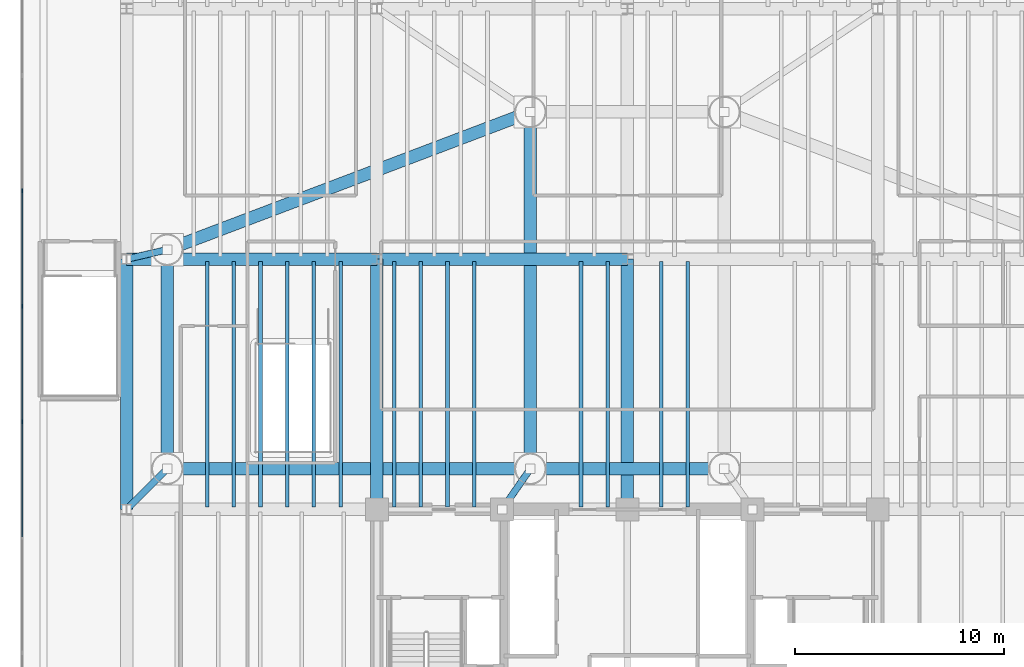
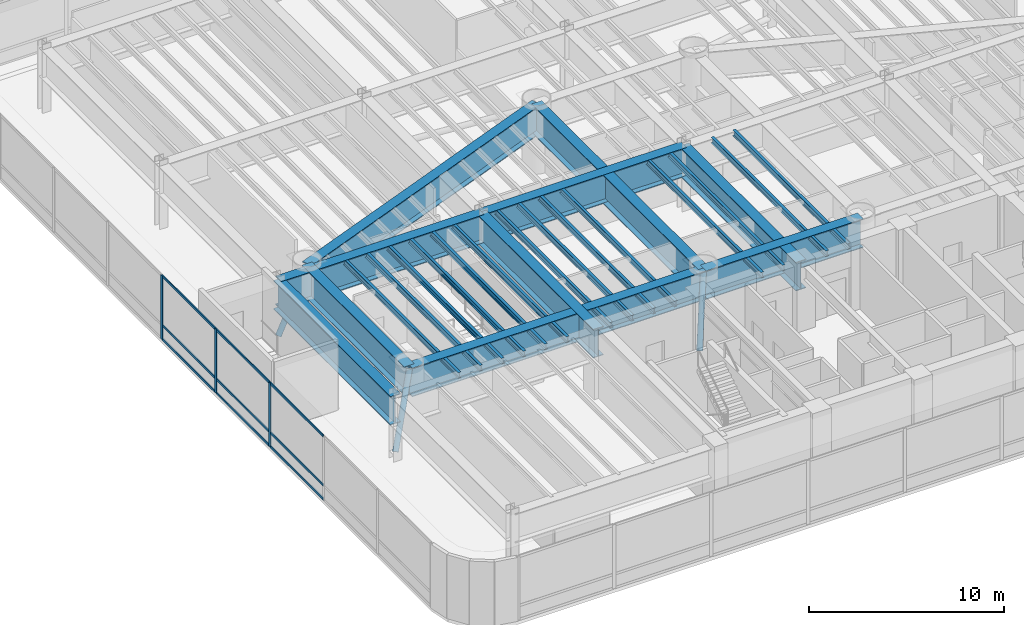
# One storey, part 4 of 18: 24 beams, 15 members, 1 element without a shape of its own.
"""IFC4 building model written with IfcOpenShell, lengths in metres."""

from ifc_helpers import new_model, si_unit, direction, frame, origin, origin_2d, place, context, subcontext, project, spatial, rectangle, hollow_circle, i_section, extrude, source, transform, mapped, material, layer, layer_set, material_profile, profile_set, type_object, element, aggregate, save


model = new_model("IFC4")

# Units and contexts
model_context = context("Model", 3, precision=1e-05, world=origin(), true_north=direction((0.0, 1.0)))
body_context = subcontext(model_context, "Body", "Model", "MODEL_VIEW")
ifc_project = project(units=[si_unit("LENGTHUNIT", "METRE"), si_unit("AREAUNIT", "SQUARE_METRE"), si_unit("VOLUMEUNIT", "CUBIC_METRE"), si_unit("PLANEANGLEUNIT", "RADIAN"), si_unit("MASSUNIT", "GRAM", prefix="KILO")], contexts=[model_context])

# Site, building, storey
site_placement = place(None, origin())
site = spatial("IfcSite", under=ifc_project, at=site_placement, CompositionType="ELEMENT")
building_placement = place(site_placement, origin())
building = spatial("IfcBuilding", under=site, at=building_placement, Name="Brelvock Crest Care Tower", CompositionType="ELEMENT")
storey_placement = place(building_placement, frame((0.0, 0.0, 22.679931640625)))
storey = spatial("IfcBuildingStorey", under=building, at=storey_placement, Name="L05", CompositionType="ELEMENT", Elevation=22.679931640625)

# Beams
ifc_material_1 = material(Name="Steel Grade 350", Category="steel")
ifc_material_profile_1 = material_profile(ifc_material_1, i_section(OverallWidth=0.172119140625, OverallDepth=0.35888671875, WebThickness=0.008056640625, FlangeThickness=0.012939453125, FilletRadius=0.011474609375, at=origin_2d()), Name="360UB56.7")
ifc_profile_set_1 = profile_set([ifc_material_profile_1], Name="Steel Grade 350")
beam_type_1 = type_object("IfcBeamType", Name="BM-J1", PredefinedType="JOIST", material=ifc_profile_set_1)
shared_shape_1 = source(origin(), body_context, "Body", "SweptSolid", [
    extrude(i_section(OverallWidth=0.172119140625, OverallDepth=0.35888671875, WebThickness=0.008056640625, FlangeThickness=0.012939453125, FilletRadius=0.011474609375, at=origin_2d()), origin(), (0.0, 0.0, 1.0), 11.77001953125),
])
for number, where, z_axis, x_axis, name in (
    (1, (15.860107421875, 18.114990234375, 3.820556640625), (0.0, 1.0, 0.0), (-1.0, 0.0, 0.0), "BM-PODJ-L05-1586-18"),
    (2, (17.139892578125, 18.114990234375, 3.820556640625), (0.0, 1.0, 0.0), (-1.0, 0.0, 0.0), "BM-PODJ-L05-1714-18"),
    (3, (18.419921875, 18.114990234375, 3.820556640625), (0.0, 1.0, 0.0), (-1.0, 0.0, 0.0), "BM-PODJ-L05-1842-18"),
    (4, (19.699951171875, 18.114990234375, 3.820556640625), (0.0, 1.0, 0.0), (-1.0, 0.0, 0.0), "BM-PODJ-L05-1970-18"),
    (5, (20.97998046875, 18.114990234375, 3.820556640625), (0.0, 1.0, 0.0), (-1.0, 0.0, 0.0), "BM-PODJ-L05-2098-18"),
    (6, (22.260009765625, 18.114990234375, 3.820556640625), (0.0, 1.0, 0.0), (-1.0, 0.0, 0.0), "BM-PODJ-L05-2226-18"),
    (7, (24.820068359375, 18.114990234375, 3.820556640625), (0.0, 1.0, 0.0), (-1.0, 0.0, 0.0), "BM-PODJ-L05-2482-18"),
    (8, (26.10009765625, 18.114990234375, 3.820556640625), (0.0, 1.0, 0.0), (-1.0, 0.0, 0.0), "BM-PODJ-L05-2610-18"),
    (9, (27.3798828125, 18.114990234375, 3.820556640625), (0.0, 1.0, 0.0), (-1.0, 0.0, 0.0), "BM-PODJ-L05-2738-18"),
    (10, (28.659912109375, 18.114990234375, 3.820556640625), (0.0, 1.0, 0.0), (-1.0, 0.0, 0.0), "BM-PODJ-L05-2866-18"),
    (11, (33.780029296875, 18.114990234375, 3.820556640625), (0.0, 1.0, 0.0), (-1.0, 0.0, 0.0), "BM-PODJ-L05-3378-18"),
    (12, (35.06005859375, 18.114990234375, 3.820556640625), (0.0, 1.0, 0.0), (-1.0, 0.0, 0.0), "BM-PODJ-L05-3506-18"),
    (13, (37.6201171875, 18.114990234375, 3.820556640625), (0.0, 1.0, 0.0), (-1.0, 0.0, 0.0), "BM-PODJ-L05-3762-18"),
    (14, (38.89990234375, 18.114990234375, 3.820556640625), (0.0, 1.0, 0.0), (-1.0, 0.0, 0.0), "BM-PODJ-L05-3890-18"),
):
    element("IfcBeam", number, at=place(storey_placement, frame(where, z_axis=z_axis, x_axis=x_axis)), inside=storey, type_object=beam_type_1, Name=name, PredefinedType="JOIST", context=body_context, shape_type="MappedRepresentation", body=[
        mapped(shared_shape_1, transform((0.0, 0.0, 0.0), x_axis=(1.0, 0.0, 0.0), y_axis=(0.0, 1.0, 0.0), z_axis=(0.0, 0.0, 1.0), scale=1.0)),
    ])
ifc_material_profile_2 = material_profile(ifc_material_1, i_section(OverallWidth=0.60009765625, OverallDepth=1.800048828125, WebThickness=0.028076171875, FlangeThickness=0.052001953125, at=origin_2d()), Name="1800TG740")
ifc_profile_set_2 = profile_set([ifc_material_profile_2], Name="Steel Grade 350")
beam_type_2 = type_object("IfcBeamType", Name="BM-TG1", PredefinedType="USERDEFINED", material=ifc_profile_set_2)
shared_shape_2 = source(origin(), body_context, "Body", "SweptSolid", [
    extrude(i_section(OverallWidth=0.60009765625, OverallDepth=1.800048828125, WebThickness=0.028076171875, FlangeThickness=0.052001953125, at=origin_2d()), origin(), (0.0, 0.0, 1.0), 12.0),
])
for number, where, z_axis, x_axis, name in (
    (15, (12.0, 30.0, 3.10009765625), (1.0, 0.0, 0.0), (0.0, 1.0, 0.0), "BM-PODX-L05-30-12"),
    (16, (24.0, 30.0, 3.10009765625), (1.0, 0.0, 0.0), (0.0, 1.0, 0.0), "BM-PODX-L05-30-24"),
    (17, (12.0, 18.0, 3.10009765625), (0.0, 1.0, 0.0), (-1.0, 0.0, 0.0), "BM-PODY-L05-12-18"),
    (18, (24.0, 18.0, 3.10009765625), (0.0, 1.0, 0.0), (-1.0, 0.0, 0.0), "BM-PODY-L05-24-18"),
    (19, (36.0, 18.0, 3.10009765625), (0.0, 1.0, 0.0), (-1.0, 0.0, 0.0), "BM-PODY-L05-36-18"),
):
    element("IfcBeam", number, at=place(storey_placement, frame(where, z_axis=z_axis, x_axis=x_axis)), inside=storey, type_object=beam_type_2, Name=name, ObjectType="GIRDER", PredefinedType="USERDEFINED", context=body_context, shape_type="MappedRepresentation", body=[
        mapped(shared_shape_2, transform((0.0, 0.0, 0.0), x_axis=(1.0, 0.0, 0.0), y_axis=(0.0, 1.0, 0.0), z_axis=(0.0, 0.0, 1.0), scale=1.0)),
    ])
shared_shape_3 = source(origin(), body_context, "Body", "SweptSolid", [
    extrude(i_section(OverallWidth=0.60009765625, OverallDepth=1.800048828125, WebThickness=0.028076171875, FlangeThickness=0.052001953125, at=origin_2d()), origin(), (0.0, 0.0, 1.0), 10.5),
])
beam_1_placement = place(storey_placement, frame((13.949951171875, 19.949951171875, 3.10009765625), z_axis=(0.0, 1.0, 0.0), x_axis=(-1.0, 0.0, 0.0)))
element("IfcBeam", 20, at=beam_1_placement, inside=storey, type_object=beam_type_2, Name="BM-TWR-L05-01", ObjectType="GIRDER", PredefinedType="USERDEFINED", context=body_context, shape_type="MappedRepresentation", body=[
    mapped(shared_shape_3, transform((0.0, 0.0, 0.0), x_axis=(1.0, 0.0, 0.0), y_axis=(0.0, 1.0, 0.0), z_axis=(0.0, 0.0, 1.0), scale=1.0)),
])
shared_shape_4 = source(origin(), body_context, "Body", "SweptSolid", [
    extrude(i_section(OverallWidth=0.60009765625, OverallDepth=1.800048828125, WebThickness=0.028076171875, FlangeThickness=0.052001953125, at=origin_2d()), origin(), (0.0, 0.0, 1.0), 17.400146484375),
])
beam_2_placement = place(storey_placement, frame((13.949951171875, 19.949951171875, 3.10009765625), z_axis=(1.0, 0.0, 0.0), x_axis=(0.0, 1.0, 0.0)))
element("IfcBeam", 21, at=beam_2_placement, inside=storey, type_object=beam_type_2, Name="BM-TWR-L05-03", ObjectType="GIRDER", PredefinedType="USERDEFINED", context=body_context, shape_type="MappedRepresentation", body=[
    mapped(shared_shape_4, transform((0.0, 0.0, 0.0), x_axis=(1.0, 0.0, 0.0), y_axis=(0.0, 1.0, 0.0), z_axis=(0.0, 0.0, 1.0), scale=1.0)),
])
shared_shape_5 = source(origin(), body_context, "Body", "SweptSolid", [
    extrude(i_section(OverallWidth=0.60009765625, OverallDepth=1.800048828125, WebThickness=0.028076171875, FlangeThickness=0.052001953125, at=origin_2d()), origin(), (0.0, 0.0, 1.0), 9.2998046875),
])
beam_3_placement = place(storey_placement, frame((31.35009765625, 19.949951171875, 3.10009765625), z_axis=(1.0, 0.0, 0.0), x_axis=(0.0, 1.0, 0.0)))
element("IfcBeam", 22, at=beam_3_placement, inside=storey, type_object=beam_type_2, Name="BM-TWR-L05-05", ObjectType="GIRDER", PredefinedType="USERDEFINED", context=body_context, shape_type="MappedRepresentation", body=[
    mapped(shared_shape_5, transform((0.0, 0.0, 0.0), x_axis=(1.0, 0.0, 0.0), y_axis=(0.0, 1.0, 0.0), z_axis=(0.0, 0.0, 1.0), scale=1.0)),
])
shared_shape_6 = source(origin(), body_context, "Body", "SweptSolid", [
    extrude(i_section(OverallWidth=0.60009765625, OverallDepth=1.800048828125, WebThickness=0.028076171875, FlangeThickness=0.052001953125, at=origin_2d()), origin(), (0.0, 0.0, 1.0), 18.60986328125),
])
beam_4_placement = place(storey_placement, frame((13.949951171875, 30.449951171875, 3.10009765625), z_axis=(0.934996776275, 0.3546562115, 0.0), x_axis=(-0.3546562115, 0.934996776275, 0.0)))
element("IfcBeam", 23, at=beam_4_placement, inside=storey, type_object=beam_type_2, Name="BM-TWR-L05-06", ObjectType="GIRDER", PredefinedType="USERDEFINED", context=body_context, shape_type="MappedRepresentation", body=[
    mapped(shared_shape_6, transform((0.0, 0.0, 0.0), x_axis=(1.0, 0.0, 0.0), y_axis=(0.0, 1.0, 0.0), z_axis=(0.0, 0.0, 1.0), scale=1.0)),
])
shared_shape_7 = source(origin(), body_context, "Body", "SweptSolid", [
    extrude(i_section(OverallWidth=0.60009765625, OverallDepth=1.800048828125, WebThickness=0.028076171875, FlangeThickness=0.052001953125, at=origin_2d()), origin(), (0.0, 0.0, 1.0), 17.10009765625),
])
beam_5_placement = place(storey_placement, frame((31.35009765625, 19.949951171875, 3.10009765625), z_axis=(0.0, 1.0, 0.0), x_axis=(-1.0, 0.0, 0.0)))
element("IfcBeam", 24, at=beam_5_placement, inside=storey, type_object=beam_type_2, Name="BM-TWR-L05-09", ObjectType="GIRDER", PredefinedType="USERDEFINED", context=body_context, shape_type="MappedRepresentation", body=[
    mapped(shared_shape_7, transform((0.0, 0.0, 0.0), x_axis=(1.0, 0.0, 0.0), y_axis=(0.0, 1.0, 0.0), z_axis=(0.0, 0.0, 1.0), scale=1.0)),
])

# Members
ifc_material_profile_3 = material_profile(ifc_material_1, hollow_circle(Radius=0.161865234375, WallThickness=0.0126953125, at=origin_2d()), Name="CHS323.9x12.7")
ifc_profile_set_3 = profile_set([ifc_material_profile_3], Name="Steel Grade 350")
member_type_1 = type_object("IfcMemberType", Name="MEM-ST1", PredefinedType="STRUT", material=ifc_profile_set_3)
shared_shape_8 = source(origin(), body_context, "Body", "SweptSolid", [
    extrude(hollow_circle(Radius=0.161865234375, WallThickness=0.0126953125, at=origin_2d()), origin(), (0.0, 0.0, 1.0), 4.31591796875),
])
member_1_placement = place(storey_placement, frame((12.0, 18.0, 0.449951171875), z_axis=(0.451800559621, 0.451800559621, 0.769254514873), x_axis=(-0.707106781187, 0.707106781187, 0.0)))
element("IfcMember", 25, at=member_1_placement, inside=storey, type_object=member_type_1, Name="L05 Transfer Strut PST-01", PredefinedType="STRUT", context=body_context, shape_type="MappedRepresentation", body=[
    mapped(shared_shape_8, transform((0.0, 0.0, 0.0), x_axis=(1.0, 0.0, 0.0), y_axis=(0.0, 1.0, 0.0), z_axis=(0.0, 0.0, 1.0), scale=1.0)),
])
shared_shape_9 = source(origin(), body_context, "Body", "SweptSolid", [
    extrude(hollow_circle(Radius=0.161865234375, WallThickness=0.0126953125, at=origin_2d()), origin(), (0.0, 0.0, 1.0), 3.87646484375),
])
member_2_placement = place(storey_placement, frame((12.0, 30.0, 0.449951171875), z_axis=(0.503012341625, 0.116070082085, 0.856449835202), x_axis=(-0.224841686778, 0.974395307812, 0.0)))
element("IfcMember", 26, at=member_2_placement, inside=storey, type_object=member_type_1, Name="L05 Transfer Strut PST-02", PredefinedType="STRUT", context=body_context, shape_type="MappedRepresentation", body=[
    mapped(shared_shape_9, transform((0.0, 0.0, 0.0), x_axis=(1.0, 0.0, 0.0), y_axis=(0.0, 1.0, 0.0), z_axis=(0.0, 0.0, 1.0), scale=1.0)),
])
shared_shape_10 = source(origin(), body_context, "Body", "SweptSolid", [
    extrude(hollow_circle(Radius=0.161865234375, WallThickness=0.0126953125, at=origin_2d()), origin(), (0.0, 0.0, 1.0), 4.080078125),
])
member_3_placement = place(storey_placement, frame((30.0, 18.0, 0.449951171875), z_axis=(0.330891110428, 0.47790728734, 0.813704920562), x_axis=(-0.8221662504, 0.569247447691, 0.0)))
element("IfcMember", 27, at=member_3_placement, inside=storey, type_object=member_type_1, Name="L05 Transfer Strut PST-05", PredefinedType="STRUT", context=body_context, shape_type="MappedRepresentation", body=[
    mapped(shared_shape_10, transform((0.0, 0.0, 0.0), x_axis=(1.0, 0.0, 0.0), y_axis=(0.0, 1.0, 0.0), z_axis=(0.0, 0.0, 1.0), scale=1.0)),
])

# Curtain wall, members
ifc_material_2 = material(Name="Dark Glass Double Glazed Low-E", Category="glass")
ifc_layer = layer(ifc_material_2, 0.179931640625, Name="CWS-1")
ifc_layer_set = layer_set([ifc_layer], Name="Dark Glass Double Glazed Low-E")
curtain_wall_type = type_object("IfcCurtainWallType", Name="CWS-1", PredefinedType="NOTDEFINED", material=ifc_layer_set)
curtain_wall_placement = place(storey_placement, origin())
curtain_wall = element("IfcCurtainWall", 28, at=curtain_wall_placement, inside=storey, type_object=curtain_wall_type, Name="L05 Curtain Wall E04", PredefinedType="NOTDEFINED")
ifc_material_3 = material(Name="Aluminium 6063-T6", Category="aluminium")
ifc_material_profile_4 = material_profile(ifc_material_3, rectangle(XDim=0.06494140625, YDim=0.14990234375, at=origin_2d()), Name="ALU65x150")
ifc_profile_set_4 = profile_set([ifc_material_profile_4], Name="Aluminium 6063-T6")
member_type_2 = type_object("IfcMemberType", Name="CWT-1", PredefinedType="USERDEFINED", material=ifc_profile_set_4)
shared_shape_11 = source(origin(), body_context, "Body", "SweptSolid", [
    extrude(rectangle(XDim=0.06494140625, YDim=0.14990234375, at=origin_2d()), origin(), (0.0, 0.0, 1.0), 5.468505859375),
])
member_4_placement = place(storey_placement, frame((7.0, 22.232421875, 0.032470703125), z_axis=(0.0, 1.0, 0.0), x_axis=(-1.0, 0.0, 0.0)))
member_4 = element("IfcMember", 29, at=member_4_placement, type_object=member_type_2, Name="CW-1 transom 4.1", ObjectType="TRANSOM", PredefinedType="USERDEFINED", context=body_context, shape_type="MappedRepresentation", body=[
    mapped(shared_shape_11, transform((0.0, 0.0, 0.0), x_axis=(1.0, 0.0, 0.0), y_axis=(0.0, 1.0, 0.0), z_axis=(0.0, 0.0, 1.0), scale=1.0)),
])
member_5_placement = place(storey_placement, frame((7.0, 22.232421875, 0.900146484375), z_axis=(0.0, 1.0, 0.0), x_axis=(-1.0, 0.0, 0.0)))
member_5 = element("IfcMember", 30, at=member_5_placement, type_object=member_type_2, Name="CW-1 transom 4.2", ObjectType="TRANSOM", PredefinedType="USERDEFINED", context=body_context, shape_type="MappedRepresentation", body=[
    mapped(shared_shape_11, transform((0.0, 0.0, 0.0), x_axis=(1.0, 0.0, 0.0), y_axis=(0.0, 1.0, 0.0), z_axis=(0.0, 0.0, 1.0), scale=1.0)),
])
member_6_placement = place(storey_placement, frame((7.0, 22.232421875, 3.967529296875), z_axis=(0.0, 1.0, 0.0), x_axis=(-1.0, 0.0, 0.0)))
member_6 = element("IfcMember", 31, at=member_6_placement, type_object=member_type_2, Name="CW-1 transom 4.3", ObjectType="TRANSOM", PredefinedType="USERDEFINED", context=body_context, shape_type="MappedRepresentation", body=[
    mapped(shared_shape_11, transform((0.0, 0.0, 0.0), x_axis=(1.0, 0.0, 0.0), y_axis=(0.0, 1.0, 0.0), z_axis=(0.0, 0.0, 1.0), scale=1.0)),
])
shared_shape_12 = source(origin(), body_context, "Body", "SweptSolid", [
    extrude(rectangle(XDim=0.06494140625, YDim=0.14990234375, at=origin_2d()), origin(), (0.0, 0.0, 1.0), 5.46826171875),
])
member_7_placement = place(storey_placement, frame((7.0, 16.69921875, 0.032470703125), z_axis=(0.0, 1.0, 0.0), x_axis=(-1.0, 0.0, 0.0)))
member_7 = element("IfcMember", 32, at=member_7_placement, type_object=member_type_2, Name="CW-1 transom 3.1", ObjectType="TRANSOM", PredefinedType="USERDEFINED", context=body_context, shape_type="MappedRepresentation", body=[
    mapped(shared_shape_12, transform((0.0, 0.0, 0.0), x_axis=(1.0, 0.0, 0.0), y_axis=(0.0, 1.0, 0.0), z_axis=(0.0, 0.0, 1.0), scale=1.0)),
])
member_8_placement = place(storey_placement, frame((7.0, 16.69921875, 0.900146484375), z_axis=(0.0, 1.0, 0.0), x_axis=(-1.0, 0.0, 0.0)))
member_8 = element("IfcMember", 33, at=member_8_placement, type_object=member_type_2, Name="CW-1 transom 3.2", ObjectType="TRANSOM", PredefinedType="USERDEFINED", context=body_context, shape_type="MappedRepresentation", body=[
    mapped(shared_shape_12, transform((0.0, 0.0, 0.0), x_axis=(1.0, 0.0, 0.0), y_axis=(0.0, 1.0, 0.0), z_axis=(0.0, 0.0, 1.0), scale=1.0)),
])
member_9_placement = place(storey_placement, frame((7.0, 16.69921875, 3.967529296875), z_axis=(0.0, 1.0, 0.0), x_axis=(-1.0, 0.0, 0.0)))
member_9 = element("IfcMember", 34, at=member_9_placement, type_object=member_type_2, Name="CW-1 transom 3.3", ObjectType="TRANSOM", PredefinedType="USERDEFINED", context=body_context, shape_type="MappedRepresentation", body=[
    mapped(shared_shape_12, transform((0.0, 0.0, 0.0), x_axis=(1.0, 0.0, 0.0), y_axis=(0.0, 1.0, 0.0), z_axis=(0.0, 0.0, 1.0), scale=1.0)),
])
member_10_placement = place(storey_placement, frame((7.0, 27.765869140625, 0.032470703125), z_axis=(0.0, 1.0, 0.0), x_axis=(-1.0, 0.0, 0.0)))
member_10 = element("IfcMember", 35, at=member_10_placement, type_object=member_type_2, Name="CW-1 transom 5.1", ObjectType="TRANSOM", PredefinedType="USERDEFINED", context=body_context, shape_type="MappedRepresentation", body=[
    mapped(shared_shape_12, transform((0.0, 0.0, 0.0), x_axis=(1.0, 0.0, 0.0), y_axis=(0.0, 1.0, 0.0), z_axis=(0.0, 0.0, 1.0), scale=1.0)),
])
member_11_placement = place(storey_placement, frame((7.0, 27.765869140625, 0.900146484375), z_axis=(0.0, 1.0, 0.0), x_axis=(-1.0, 0.0, 0.0)))
member_11 = element("IfcMember", 36, at=member_11_placement, type_object=member_type_2, Name="CW-1 transom 5.2", ObjectType="TRANSOM", PredefinedType="USERDEFINED", context=body_context, shape_type="MappedRepresentation", body=[
    mapped(shared_shape_12, transform((0.0, 0.0, 0.0), x_axis=(1.0, 0.0, 0.0), y_axis=(0.0, 1.0, 0.0), z_axis=(0.0, 0.0, 1.0), scale=1.0)),
])
member_12_placement = place(storey_placement, frame((7.0, 27.765869140625, 3.967529296875), z_axis=(0.0, 1.0, 0.0), x_axis=(-1.0, 0.0, 0.0)))
member_12 = element("IfcMember", 37, at=member_12_placement, type_object=member_type_2, Name="CW-1 transom 5.3", ObjectType="TRANSOM", PredefinedType="USERDEFINED", context=body_context, shape_type="MappedRepresentation", body=[
    mapped(shared_shape_12, transform((0.0, 0.0, 0.0), x_axis=(1.0, 0.0, 0.0), y_axis=(0.0, 1.0, 0.0), z_axis=(0.0, 0.0, 1.0), scale=1.0)),
])
ifc_material_profile_5 = material_profile(ifc_material_3, rectangle(XDim=0.06494140625, YDim=0.199951171875, at=origin_2d()), Name="ALU65x200")
ifc_profile_set_5 = profile_set([ifc_material_profile_5], Name="Aluminium 6063-T6")
member_type_3 = type_object("IfcMemberType", Name="CWM-1", PredefinedType="MULLION", material=ifc_profile_set_5)
shared_shape_13 = source(origin(), body_context, "Body", "SweptSolid", [
    extrude(rectangle(XDim=0.06494140625, YDim=0.199951171875, at=origin_2d()), origin(), (0.0, 0.0, 1.0), 4.0),
])
member_13_placement = place(storey_placement, frame((7.0, 22.199951171875, 0.0), z_axis=(0.0, 0.0, 1.0), x_axis=(-1.0, 0.0, 0.0)))
member_13 = element("IfcMember", 38, at=member_13_placement, type_object=member_type_3, Name="CW-1 mullion 4", PredefinedType="MULLION", context=body_context, shape_type="MappedRepresentation", body=[
    mapped(shared_shape_13, transform((0.0, 0.0, 0.0), x_axis=(1.0, 0.0, 0.0), y_axis=(0.0, 1.0, 0.0), z_axis=(0.0, 0.0, 1.0), scale=1.0)),
])
member_14_placement = place(storey_placement, frame((7.0, 27.7333984375, 0.0), z_axis=(0.0, 0.0, 1.0), x_axis=(-1.0, 0.0, 0.0)))
member_14 = element("IfcMember", 39, at=member_14_placement, type_object=member_type_3, Name="CW-1 mullion 5", PredefinedType="MULLION", context=body_context, shape_type="MappedRepresentation", body=[
    mapped(shared_shape_13, transform((0.0, 0.0, 0.0), x_axis=(1.0, 0.0, 0.0), y_axis=(0.0, 1.0, 0.0), z_axis=(0.0, 0.0, 1.0), scale=1.0)),
])
member_15_placement = place(storey_placement, frame((7.0, 33.2666015625, 0.0), z_axis=(0.0, 0.0, 1.0), x_axis=(-1.0, 0.0, 0.0)))
member_15 = element("IfcMember", 40, at=member_15_placement, type_object=member_type_3, Name="CW-1 mullion 6", PredefinedType="MULLION", context=body_context, shape_type="MappedRepresentation", body=[
    mapped(shared_shape_13, transform((0.0, 0.0, 0.0), x_axis=(1.0, 0.0, 0.0), y_axis=(0.0, 1.0, 0.0), z_axis=(0.0, 0.0, 1.0), scale=1.0)),
])
aggregate(curtain_wall, [member_13, member_14, member_15, member_7, member_8, member_9, member_4, member_5, member_6, member_10, member_11, member_12])

save(model, "model.ifc")
